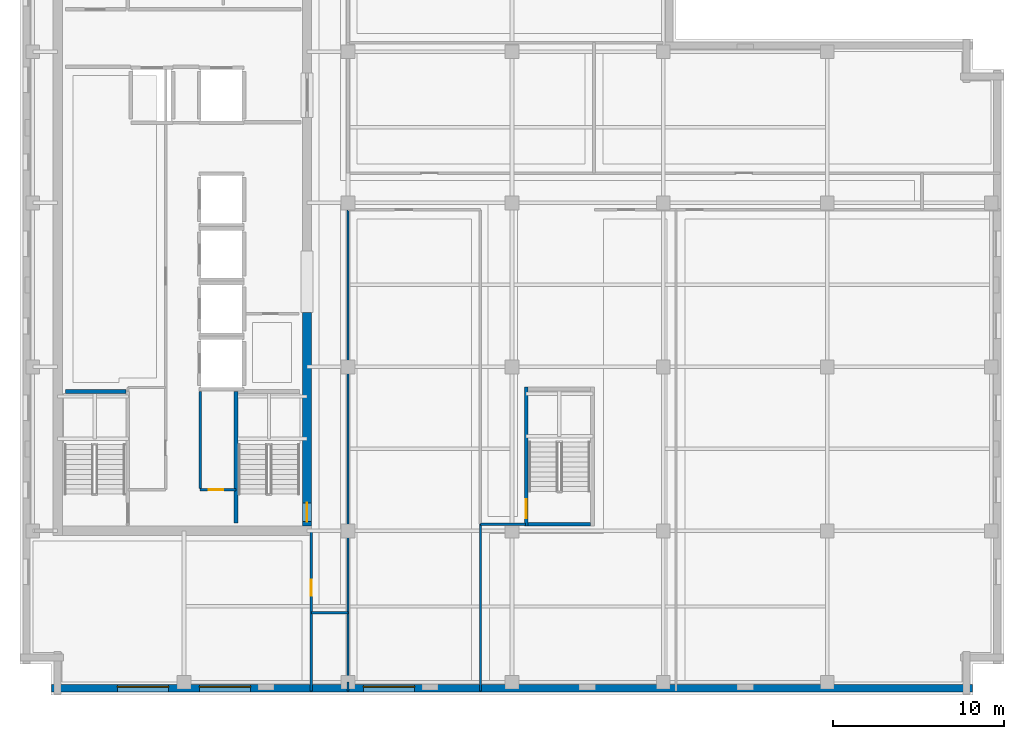
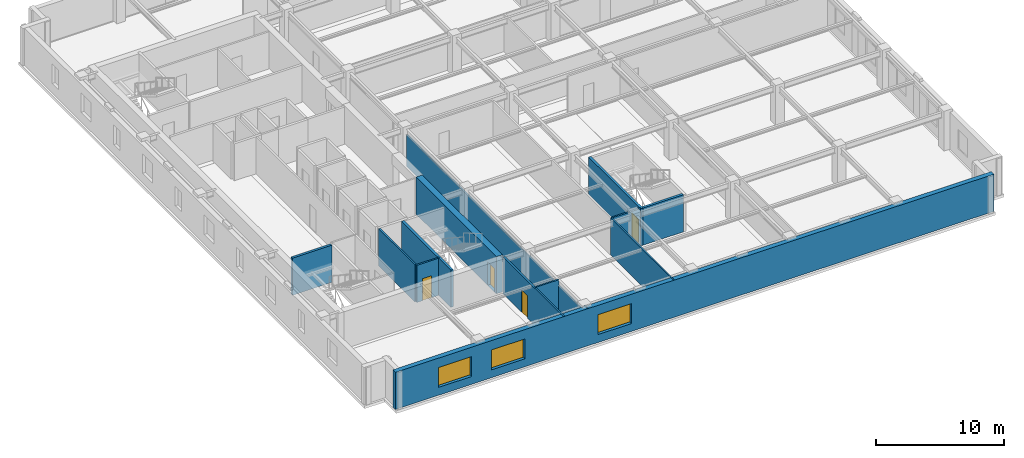
# One storey, part 3 of 11: 14 walls, 4 doors, 3 windows, 7 openings.
"""IFC4 building model written with IfcOpenShell, lengths in metres."""

from ifc_helpers import new_model, si_unit, direction, frame, frame_2d, origin, place, context, subcontext, project, spatial, rectangle, extrude, material, layer, layer_set, type_object, element, fill, save


model = new_model("IFC4")

# Units and contexts
model_context = context("Model", 3, precision=1e-05, world=origin(), true_north=direction((0.0, 1.0)))
body_context = subcontext(model_context, "Body", "Model", "MODEL_VIEW")
ifc_project = project(units=[si_unit("LENGTHUNIT", "METRE"), si_unit("AREAUNIT", "SQUARE_METRE"), si_unit("VOLUMEUNIT", "CUBIC_METRE"), si_unit("PLANEANGLEUNIT", "RADIAN"), si_unit("MASSUNIT", "GRAM", prefix="KILO")], contexts=[model_context])

# Site, building, storey
site_placement = place(None, origin())
site = spatial("IfcSite", under=ifc_project, at=site_placement, CompositionType="ELEMENT")
building_placement = place(site_placement, origin())
building = spatial("IfcBuilding", under=site, at=building_placement, Name="Norrvale University Quadrangle", CompositionType="ELEMENT")
storey_placement = place(building_placement, frame((0.0, 0.0, 248.39990234375)))
storey = spatial("IfcBuildingStorey", under=building, at=storey_placement, Name="L63", CompositionType="ELEMENT", Elevation=248.39990234375)

# Wall, openings, windows
ifc_material_1 = material(Name="Buff Norman Clay Brick Masonry", Category="masonry")
ifc_layer_1 = layer(ifc_material_1, 0.419921875, Name="Buff Norman Clay Brick Masonry")
ifc_layer_set_1 = layer_set([ifc_layer_1], Name="Buff Norman Clay Brick Masonry")
wall_type_1 = type_object("IfcWallType", Name="Wall Buff Brick 420", PredefinedType="SOLIDWALL", material=ifc_layer_set_1)
wall_1_placement = place(storey_placement, frame((1.840087890625, 0.389892578125, 0.0), z_axis=(0.0, 0.0, 1.0), x_axis=(1.0, 0.0, 0.0)))
wall_1 = element("IfcWall", 1, at=wall_1_placement, inside=storey, type_object=wall_type_1, Name="Exterior Brick Facade Wall L63-01.1", PredefinedType="SOLIDWALL", context=body_context, shape_type="SweptSolid", body=[
    extrude(rectangle(XDim=53.919921875, YDim=0.419921875, at=frame_2d((26.9599609375, 0.0))), origin(), (0.0, 0.0, 1.0), 3.5400390625),
])
opening_1_placement = place(wall_1_placement, frame((3.860107421875, 0.0, 0.75)))
opening_1 = element("IfcOpeningElement", 2, at=opening_1_placement, cuts=wall_1, Name="Opening W08", PredefinedType="OPENING", context=body_context, shape_type="SweptSolid", body=[
    extrude(rectangle(XDim=3.0, YDim=1.89990234375, at=frame_2d((1.5, 0.949951171875))), frame((0.0, 0.221923828125, 0.0), z_axis=(0.0, -1.0, 0.0), x_axis=(1.0, 0.0, 0.0)), (0.0, 0.0, 1.0), 0.44384765625),
])
opening_2_placement = place(wall_1_placement, frame((8.659912109375, 0.0, 0.75)))
opening_2 = element("IfcOpeningElement", 3, at=opening_2_placement, cuts=wall_1, Name="Opening W08", PredefinedType="OPENING", context=body_context, shape_type="SweptSolid", body=[
    extrude(rectangle(XDim=3.0, YDim=1.89990234375, at=frame_2d((1.5, 0.949951171875))), frame((0.0, 0.221923828125, 0.0), z_axis=(0.0, -1.0, 0.0), x_axis=(1.0, 0.0, 0.0)), (0.0, 0.0, 1.0), 0.44384765625),
])
opening_3_placement = place(wall_1_placement, frame((18.260009765625, 0.0, 0.75)))
opening_3 = element("IfcOpeningElement", 4, at=opening_3_placement, cuts=wall_1, Name="Opening W08", PredefinedType="OPENING", context=body_context, shape_type="SweptSolid", body=[
    extrude(rectangle(XDim=3.0, YDim=1.89990234375, at=frame_2d((1.5, 0.949951171875))), frame((0.0, 0.221923828125, 0.0), z_axis=(0.0, -1.0, 0.0), x_axis=(1.0, 0.0, 0.0)), (0.0, 0.0, 1.0), 0.44384765625),
])
ifc_material_2 = material(Name="Triple Low-E Argon Glazing", Category="glass")
window_type = type_object("IfcWindowType", Name="Window Lounge 3000x2500", PartitioningType="TRIPLE_PANEL_VERTICAL", PredefinedType="WINDOW", material=ifc_material_2)
window_1_placement = place(opening_1_placement, origin())
window_1 = element("IfcWindow", 5, at=window_1_placement, inside=storey, type_object=window_type, Name="Window Lounge 3000x2500 WIN-L63-E01-1-01", OverallHeight=1.89990234375, OverallWidth=3.0, PartitioningType="TRIPLE_PANEL_VERTICAL", PredefinedType="WINDOW", context=body_context, shape_type="SweptSolid", body=[
    extrude(rectangle(XDim=3.0, YDim=1.89990234375, at=frame_2d((1.5, 0.949951171875))), frame((0.0, 0.110107421875, 0.0), z_axis=(0.0, -1.0, 0.0), x_axis=(1.0, 0.0, 0.0)), (0.0, 0.0, 1.0), 0.06005859375),
])
fill(opening_1, window_1)
window_2_placement = place(opening_2_placement, origin())
window_2 = element("IfcWindow", 6, at=window_2_placement, inside=storey, type_object=window_type, Name="Window Lounge 3000x2500 WIN-L63-E01-1-02", OverallHeight=1.89990234375, OverallWidth=3.0, PartitioningType="TRIPLE_PANEL_VERTICAL", PredefinedType="WINDOW", context=body_context, shape_type="SweptSolid", body=[
    extrude(rectangle(XDim=3.0, YDim=1.89990234375, at=frame_2d((1.5, 0.949951171875))), frame((0.0, 0.110107421875, 0.0), z_axis=(0.0, -1.0, 0.0), x_axis=(1.0, 0.0, 0.0)), (0.0, 0.0, 1.0), 0.06005859375),
])
fill(opening_2, window_2)
window_3_placement = place(opening_3_placement, origin())
window_3 = element("IfcWindow", 7, at=window_3_placement, inside=storey, type_object=window_type, Name="Window Lounge 3000x2500 WIN-L63-E01-1-03", OverallHeight=1.89990234375, OverallWidth=3.0, PartitioningType="TRIPLE_PANEL_VERTICAL", PredefinedType="WINDOW", context=body_context, shape_type="SweptSolid", body=[
    extrude(rectangle(XDim=3.0, YDim=1.89990234375, at=frame_2d((1.5, 0.949951171875))), frame((0.0, 0.110107421875, 0.0), z_axis=(0.0, -1.0, 0.0), x_axis=(1.0, 0.0, 0.0)), (0.0, 0.0, 1.0), 0.06005859375),
])
fill(opening_3, window_3)

# Wall, opening, door
ifc_material_3 = material(Name="Concrete C60/75", Category="concrete")
ifc_layer_2 = layer(ifc_material_3, 0.550048828125, Name="Concrete C60/75")
ifc_layer_set_2 = layer_set([ifc_layer_2], Name="Concrete C60/75")
wall_type_2 = type_object("IfcWallType", Name="Wall Core 550", PredefinedType="SHEAR", material=ifc_layer_set_2)
wall_2_placement = place(storey_placement, frame((16.800048828125, 9.875, 0.0), z_axis=(0.0, 0.0, 1.0), x_axis=(0.0, 1.0, 0.0)))
wall_2 = element("IfcWall", 8, at=wall_2_placement, inside=storey, type_object=wall_type_2, Name="Tower Core Shear Wall L63-E1", PredefinedType="SHEAR", context=body_context, shape_type="SweptSolid", body=[
    extrude(rectangle(XDim=12.52490234375, YDim=0.550048828125, at=frame_2d((6.262451171875, 0.0))), origin(), (0.0, 0.0, 1.0), 3.5400390625),
])
opening_4_placement = place(wall_2_placement, frame((0.264892578125, 0.0, 0.0)))
opening_4 = element("IfcOpeningElement", 9, at=opening_4_placement, cuts=wall_2, Name="Opening D02", PredefinedType="OPENING", context=body_context, shape_type="SweptSolid", body=[
    extrude(rectangle(XDim=1.10009765625, YDim=2.199951171875, at=frame_2d((0.550048828125, 1.10009765625))), frame((0.0, 0.287109375, 0.0), z_axis=(0.0, -1.0, 0.0), x_axis=(1.0, 0.0, 0.0)), (0.0, 0.0, 1.0), 0.573974609375),
])
ifc_material_4 = material(Name="Hollow Steel 350W Fire Door", Category="steel")
door_type_1 = type_object("IfcDoorType", Name="Door Stair Exit 1100x2200", OperationType="NOTDEFINED", PredefinedType="DOOR", material=ifc_material_4)
door_1_placement = place(opening_4_placement, origin())
door_1 = element("IfcDoor", 10, at=door_1_placement, inside=storey, type_object=door_type_1, Name="Door Stair Exit 1100x2200 DR-L63-ST03", OperationType="SINGLE_SWING_LEFT", OverallHeight=2.199951171875, OverallWidth=1.10009765625, PredefinedType="DOOR", context=body_context, shape_type="SweptSolid", body=[
    extrude(rectangle(XDim=1.10009765625, YDim=2.199951171875, at=frame_2d((0.550048828125, 1.10009765625))), frame((0.0, 0.02490234375, 0.0), z_axis=(0.0, -1.0, 0.0), x_axis=(1.0, 0.0, 0.0)), (0.0, 0.0, 1.0), 0.050048828125),
])
fill(opening_4, door_1)

# Walls
ifc_material_5 = material(Name="Standard Academic Gypsum Partition")
ifc_layer_3 = layer(ifc_material_5, 0.125, Name="Standard Academic Gypsum Partition")
ifc_layer_set_3 = layer_set([ifc_layer_3], Name="Standard Academic Gypsum Partition")
wall_type_3 = type_object("IfcWallType", Name="Wall Gypsum Academic 125", PredefinedType="PARTITIONING", material=ifc_layer_set_3)
wall_3_placement = place(storey_placement, frame((19.199951171875, 0.219970703125, 0.0), z_axis=(0.0, 0.0, 1.0), x_axis=(0.0, 1.0, 0.0)))
element("IfcWall", 11, at=wall_3_placement, inside=storey, type_object=wall_type_3, Name="Interior Partition WL-L63-SE-W0", PredefinedType="PARTITIONING", context=body_context, shape_type="SweptSolid", body=[
    extrude(rectangle(XDim=0.530029296875, YDim=0.125, at=frame_2d((0.26513671875, 0.0))), origin(), (0.0, 0.0, 1.0), 3.5400390625),
])
wall_4_placement = place(storey_placement, frame((19.199951171875, 0.75, 0.0), z_axis=(0.0, 0.0, 1.0), x_axis=(0.0, 1.0, 0.0)))
element("IfcWall", 12, at=wall_4_placement, inside=storey, type_object=wall_type_3, Name="Interior Partition WL-L63-SE-W0-B2", PredefinedType="PARTITIONING", context=body_context, shape_type="SweptSolid", body=[
    extrude(rectangle(XDim=27.64990234375, YDim=0.125, at=frame_2d((13.824951171875, 0.0))), origin(), (0.0, 0.0, 1.0), 3.007080078125),
])
wall_5_placement = place(storey_placement, frame((26.949951171875, 0.219970703125, 0.0), z_axis=(0.0, 0.0, 1.0), x_axis=(0.0, 1.0, 0.0)))
element("IfcWall", 13, at=wall_5_placement, inside=storey, type_object=wall_type_3, Name="Interior Partition WL-L63-SEP1A", PredefinedType="PARTITIONING", context=body_context, shape_type="SweptSolid", body=[
    extrude(rectangle(XDim=9.780029296875, YDim=0.125, at=frame_2d((4.89013671875, 0.0))), origin(), (0.0, 0.0, 1.0), 3.5400390625),
])

# Wall, opening, door
ifc_material_6 = material(Name="Fire-Rated Gypsum Stud Partition")
ifc_layer_4 = layer(ifc_material_6, 0.14990234375, Name="Fire-Rated Gypsum Stud Partition")
ifc_layer_set_4 = layer_set([ifc_layer_4], Name="Fire-Rated Gypsum Stud Partition")
wall_type_4 = type_object("IfcWallType", Name="Wall Gypsum Corridor 150", PredefinedType="PARTITIONING", material=ifc_layer_set_4)
wall_6_placement = place(storey_placement, frame((10.550048828125, 12.02001953125, 0.0), z_axis=(0.0, 0.0, 1.0), x_axis=(1.0, 0.0, 0.0)))
wall_6 = element("IfcWall", 14, at=wall_6_placement, inside=storey, type_object=wall_type_4, Name="Interior Partition WL-L63-SC-NR", PredefinedType="PARTITIONING", context=body_context, shape_type="SweptSolid", body=[
    extrude(rectangle(XDim=2.079833984375, YDim=0.14990234375, at=frame_2d((1.0400390625, 0.0))), origin(), (0.0, 0.0, 1.0), 3.5400390625),
])
opening_5_placement = place(wall_6_placement, frame((0.5, 0.0, 0.0)))
opening_5 = element("IfcOpeningElement", 15, at=opening_5_placement, cuts=wall_6, Name="Opening D10", PredefinedType="OPENING", context=body_context, shape_type="SweptSolid", body=[
    extrude(rectangle(XDim=0.85009765625, YDim=2.10009765625, at=frame_2d((0.425048828125, 1.050048828125))), frame((0.0, 0.0869140625, 0.0), z_axis=(0.0, -1.0, 0.0), x_axis=(1.0, 0.0, 0.0)), (0.0, 0.0, 1.0), 0.173828125),
])
ifc_material_7 = material(Name="Hollow Steel 350W Riser Fire Door", Category="steel")
door_type_2 = type_object("IfcDoorType", Name="Door Riser 850x2100", OperationType="NOTDEFINED", PredefinedType="DOOR", material=ifc_material_7)
door_2_placement = place(opening_5_placement, origin())
door_2 = element("IfcDoor", 16, at=door_2_placement, inside=storey, type_object=door_type_2, Name="Door Riser 850x2100 DR-L63-IDF", OperationType="SINGLE_SWING_RIGHT", OverallHeight=2.10009765625, OverallWidth=0.85009765625, PredefinedType="DOOR", context=body_context, shape_type="SweptSolid", body=[
    extrude(rectangle(XDim=0.85009765625, YDim=2.10009765625, at=frame_2d((0.425048828125, 1.050048828125))), frame((0.0, 0.02490234375, 0.0), z_axis=(0.0, -1.0, 0.0), x_axis=(1.0, 0.0, 0.0)), (0.0, 0.0, 1.0), 0.050048828125),
])
fill(opening_5, door_2)

# Walls
wall_7_placement = place(storey_placement, frame((10.550048828125, 12.094970703125, 0.0), z_axis=(0.0, 0.0, 1.0), x_axis=(0.0, 1.0, 0.0)))
element("IfcWall", 17, at=wall_7_placement, inside=storey, type_object=wall_type_4, Name="Interior Partition WL-L63-SC-WR", PredefinedType="PARTITIONING", context=body_context, shape_type="SweptSolid", body=[
    extrude(rectangle(XDim=5.679931640625, YDim=0.14990234375, at=frame_2d((2.83984375, 0.0))), origin(), (0.0, 0.0, 1.0), 3.5400390625),
])
wall_8_placement = place(storey_placement, frame((17.050048828125, 4.800048828125, 0.0), z_axis=(0.0, 0.0, 1.0), x_axis=(1.0, 0.0, 0.0)))
element("IfcWall", 18, at=wall_8_placement, inside=storey, type_object=wall_type_4, Name="Interior Partition WL-L63-CSP-S", PredefinedType="PARTITIONING", context=body_context, shape_type="SweptSolid", body=[
    extrude(rectangle(XDim=2.14990234375, YDim=0.14990234375, at=frame_2d((1.074951171875, 0.0))), origin(), (0.0, 0.0, 1.0), 3.5400390625),
])

# Wall, opening, door
wall_9_placement = place(storey_placement, frame((17.050048828125, 0.219970703125, 0.0), z_axis=(0.0, 0.0, 1.0), x_axis=(0.0, 1.0, 0.0)))
wall_9 = element("IfcWall", 19, at=wall_9_placement, inside=storey, type_object=wall_type_4, Name="Interior Partition WL-L63-SW-E", PredefinedType="PARTITIONING", context=body_context, shape_type="SweptSolid", body=[
    extrude(rectangle(XDim=9.380126953125, YDim=0.14990234375, at=frame_2d((4.68994140625, 0.0))), origin(), (0.0, 0.0, 1.0), 3.5400390625),
])
opening_6_placement = place(wall_9_placement, frame((5.580078125, 0.0, 0.0)))
opening_6 = element("IfcOpeningElement", 20, at=opening_6_placement, cuts=wall_9, Name="Opening D07", PredefinedType="OPENING", context=body_context, shape_type="SweptSolid", body=[
    extrude(rectangle(XDim=0.949951171875, YDim=2.14990234375, at=frame_2d((0.47509765625, 1.074951171875))), frame((0.0, 0.0869140625, 0.0), z_axis=(0.0, -1.0, 0.0), x_axis=(1.0, 0.0, 0.0)), (0.0, 0.0, 1.0), 0.173828125),
])
ifc_material_8 = material(Name="Solid-Core Maple Door", Category="wood")
door_type_3 = type_object("IfcDoorType", Name="Door Office 950x2150", OperationType="NOTDEFINED", PredefinedType="DOOR", material=ifc_material_8)
door_3_placement = place(opening_6_placement, origin())
door_3 = element("IfcDoor", 21, at=door_3_placement, inside=storey, type_object=door_type_3, Name="Door Office 950x2150 DR-L63-SW1", OperationType="SINGLE_SWING_LEFT", OverallHeight=2.14990234375, OverallWidth=0.949951171875, PredefinedType="DOOR", context=body_context, shape_type="SweptSolid", body=[
    extrude(rectangle(XDim=0.949951171875, YDim=2.14990234375, at=frame_2d((0.47509765625, 1.074951171875))), frame((0.0, 0.02490234375, 0.0), z_axis=(0.0, -1.0, 0.0), x_axis=(1.0, 0.0, 0.0)), (0.0, 0.0, 1.0), 0.050048828125),
])
fill(opening_6, door_3)

# Walls
wall_10_placement = place(storey_placement, frame((26.949951171875, 10.0, 0.0), z_axis=(0.0, 0.0, 1.0), x_axis=(1.0, 0.0, 0.0)))
element("IfcWall", 22, at=wall_10_placement, inside=storey, type_object=wall_type_4, Name="Interior Partition WL-L63-SEP1C", PredefinedType="PARTITIONING", context=body_context, shape_type="SweptSolid", body=[
    extrude(rectangle(XDim=2.630126953125, YDim=0.14990234375, at=frame_2d((1.31494140625, 0.0))), origin(), (0.0, 0.0, 1.0), 3.5400390625),
])
ifc_material_9 = material(Name="Concrete Blockwork 20 MPa Fire Shaft", Category="masonry")
ifc_layer_5 = layer(ifc_material_9, 0.219970703125, Name="Concrete Blockwork 20 MPa Fire Shaft")
ifc_layer_set_5 = layer_set([ifc_layer_5], Name="Concrete Blockwork 20 MPa Fire Shaft")
wall_type_5 = type_object("IfcWallType", Name="Wall Shaft 220", PredefinedType="SOLIDWALL", material=ifc_layer_set_5)
wall_11_placement = place(storey_placement, frame((2.64990234375, 17.760009765625, 0.0), z_axis=(0.0, 0.0, 1.0), x_axis=(1.0, 0.0, 0.0)))
element("IfcWall", 23, at=wall_11_placement, inside=storey, type_object=wall_type_5, Name="Stair ST-01 North Shaft Wall L63", PredefinedType="SOLIDWALL", context=body_context, shape_type="SweptSolid", body=[
    extrude(rectangle(XDim=3.550048828125, YDim=0.219970703125, at=frame_2d((1.77490234375, 0.0))), origin(), (0.0, 0.0, 1.0), 3.5400390625),
])
wall_12_placement = place(storey_placement, frame((12.639892578125, 10.050048828125, 0.0), z_axis=(0.0, 0.0, 1.0), x_axis=(0.0, 1.0, 0.0)))
element("IfcWall", 24, at=wall_12_placement, inside=storey, type_object=wall_type_5, Name="Stair ST-03 West Shaft Wall L63", PredefinedType="SOLIDWALL", context=body_context, shape_type="SweptSolid", body=[
    extrude(rectangle(XDim=7.7099609375, YDim=0.219970703125, at=frame_2d((3.85498046875, 0.0))), origin(), (0.0, 0.0, 1.0), 3.5400390625),
])
wall_13_placement = place(storey_placement, frame((29.75, 9.989990234375, 0.0), z_axis=(0.0, 0.0, 1.0), x_axis=(1.0, 0.0, 0.0)))
element("IfcWall", 25, at=wall_13_placement, inside=storey, type_object=wall_type_5, Name="Stair ST-04 South Shaft Wall L63", PredefinedType="SOLIDWALL", context=body_context, shape_type="SweptSolid", body=[
    extrude(rectangle(XDim=3.64990234375, YDim=0.219970703125, at=frame_2d((1.824951171875, 0.0))), origin(), (0.0, 0.0, 1.0), 3.5400390625),
])

# Wall, opening, door
wall_14_placement = place(storey_placement, frame((29.639892578125, 9.8798828125, 0.0), z_axis=(0.0, 0.0, 1.0), x_axis=(0.0, 1.0, 0.0)))
wall_14 = element("IfcWall", 26, at=wall_14_placement, inside=storey, type_object=wall_type_5, Name="Stair ST-04 West Shaft Wall L63", PredefinedType="SOLIDWALL", context=body_context, shape_type="SweptSolid", body=[
    extrude(rectangle(XDim=8.14013671875, YDim=0.219970703125, at=frame_2d((4.070068359375, 0.0))), origin(), (0.0, 0.0, 1.0), 3.5400390625),
])
opening_7_placement = place(wall_14_placement, frame((0.469970703125, 0.0, 0.0)))
opening_7 = element("IfcOpeningElement", 27, at=opening_7_placement, cuts=wall_14, Name="Opening D02", PredefinedType="OPENING", context=body_context, shape_type="SweptSolid", body=[
    extrude(rectangle(XDim=1.10009765625, YDim=2.199951171875, at=frame_2d((0.550048828125, 1.10009765625))), frame((0.0, 0.1220703125, 0.0), z_axis=(0.0, -1.0, 0.0), x_axis=(1.0, 0.0, 0.0)), (0.0, 0.0, 1.0), 0.243896484375),
])
door_4_placement = place(opening_7_placement, frame((1.10009765625, 0.0, 0.0), z_axis=(0.0, 0.0, 1.0), x_axis=(-1.0, 0.0, 0.0)))
door_4 = element("IfcDoor", 28, at=door_4_placement, inside=storey, type_object=door_type_1, Name="Door Stair Exit 1100x2200 DR-L63-ST04", OperationType="SINGLE_SWING_RIGHT", OverallHeight=2.199951171875, OverallWidth=1.10009765625, PredefinedType="DOOR", context=body_context, shape_type="SweptSolid", body=[
    extrude(rectangle(XDim=1.10009765625, YDim=2.199951171875, at=frame_2d((0.550048828125, 1.10009765625))), frame((0.0, 0.02490234375, 0.0), z_axis=(0.0, -1.0, 0.0), x_axis=(1.0, 0.0, 0.0)), (0.0, 0.0, 1.0), 0.050048828125),
])
fill(opening_7, door_4)

save(model, "model.ifc")
